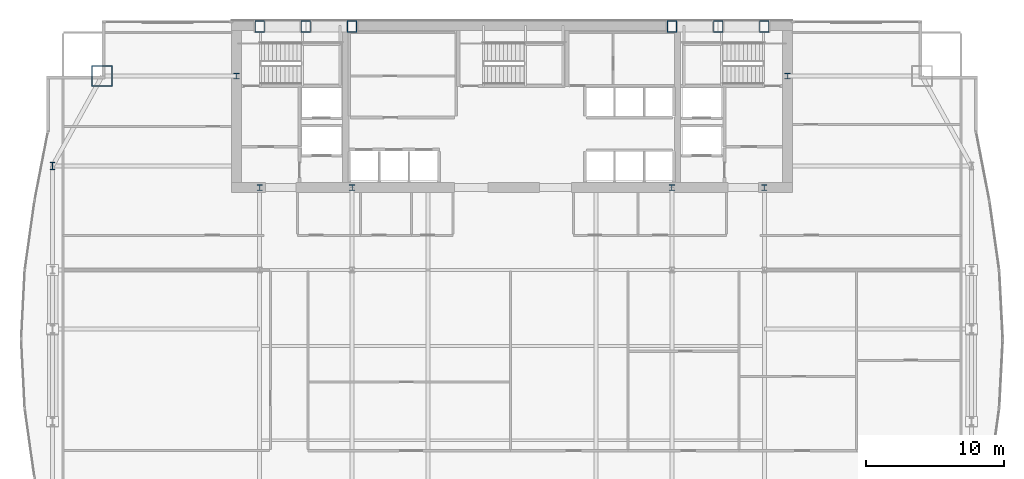
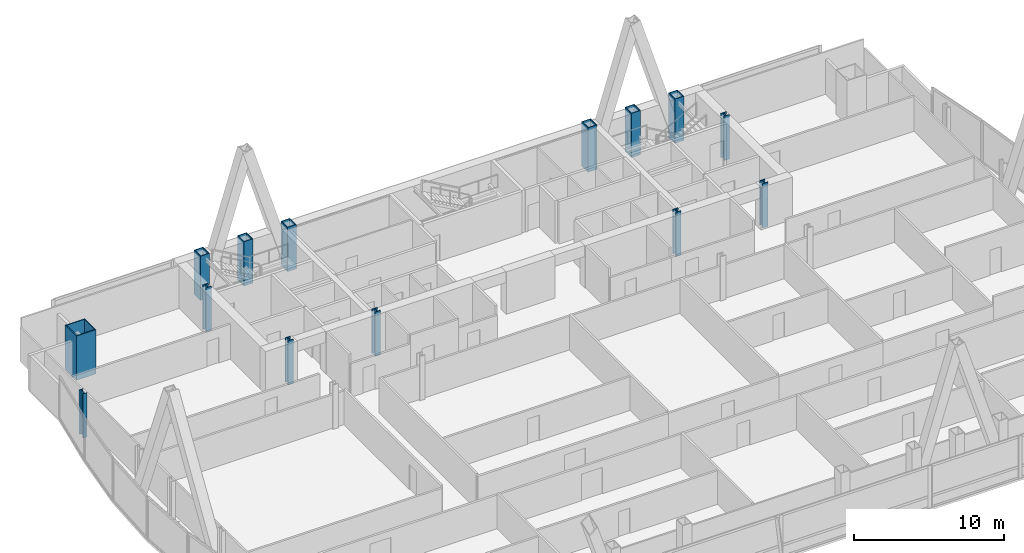
# One storey, part 3 of 33: 14 columns.
"""IFC4 building model written with IfcOpenShell, lengths in metres."""

from ifc_helpers import new_model, si_unit, direction, frame, origin, origin_2d, place, context, subcontext, project, spatial, hollow_rectangle, i_section, extrude, material, material_profile, profile_set, type_object, element, save


model = new_model("IFC4")

# Units and contexts
model_context = context("Model", 3, precision=1e-05, world=origin(), true_north=direction((0.0, 1.0)))
body_context = subcontext(model_context, "Body", "Model", "MODEL_VIEW")
ifc_project = project(units=[si_unit("LENGTHUNIT", "METRE"), si_unit("AREAUNIT", "SQUARE_METRE"), si_unit("VOLUMEUNIT", "CUBIC_METRE"), si_unit("PLANEANGLEUNIT", "RADIAN"), si_unit("MASSUNIT", "GRAM", prefix="KILO")], contexts=[model_context])

# Site, building, storey
site_placement = place(None, origin())
site = spatial("IfcSite", under=ifc_project, at=site_placement, CompositionType="ELEMENT")
building_placement = place(site_placement, origin())
building = spatial("IfcBuilding", under=site, at=building_placement, Name="Khoronbel Lancet Exchange", CompositionType="ELEMENT")
storey_placement = place(building_placement, frame((0.0, 0.0, 118.199951171875)))
storey = spatial("IfcBuildingStorey", under=building, at=storey_placement, Name="L28", CompositionType="ELEMENT", Elevation=118.199951171875)

# Columns
ifc_material_1 = material(Name="Steel S460", Category="steel")
ifc_material_profile_1 = material_profile(ifc_material_1, hollow_rectangle(XDim=0.699951171875, YDim=0.85009765625, WallThickness=0.050048828125, at=origin_2d()), Name="BOX 850x700x50")
ifc_profile_set_1 = profile_set([ifc_material_profile_1], Name="Steel S460")
column_type_1 = type_object("IfcColumnType", Name="COL-EC2", PredefinedType="COLUMN", material=ifc_profile_set_1)
for number, where, z_axis, x_axis, name in (
    (1, (18.22509765625, 53.280029296875, 0.0), (0.0, 0.0, 1.0), (1.0, 0.0, 0.0), "Structural column NC-W1 L28"),
    (2, (21.5625, 53.280029296875, 0.0), (0.0, 0.0, 1.0), (1.0, 0.0, 0.0), "Structural column NC-WM L28"),
    (3, (24.89990234375, 53.280029296875, 0.0), (0.0, 0.0, 1.0), (1.0, 0.0, 0.0), "Structural column NC-W2 L28"),
    (4, (48.0, 53.280029296875, 0.0), (0.0, 0.0, 1.0), (1.0, 0.0, 0.0), "Structural column NC-E1 L28"),
    (5, (51.33740234375, 53.280029296875, 0.0), (0.0, 0.0, 1.0), (1.0, 0.0, 0.0), "Structural column NC-EM L28"),
    (6, (54.675048828125, 53.280029296875, 0.0), (0.0, 0.0, 1.0), (1.0, 0.0, 0.0), "Structural column NC-E2 L28"),
):
    element("IfcColumn", number, at=place(storey_placement, frame(where, z_axis=z_axis, x_axis=x_axis)), inside=storey, type_object=column_type_1, Name=name, PredefinedType="COLUMN", context=body_context, shape_type="SweptSolid", body=[
        extrude(hollow_rectangle(XDim=0.699951171875, YDim=0.85009765625, WallThickness=0.050048828125, at=origin_2d()), origin(), (0.0, 0.0, 1.0), 3.60009765625),
    ])
ifc_material_profile_2 = material_profile(ifc_material_1, i_section(OverallWidth=0.416015625, OverallDepth=0.446044921875, WebThickness=0.0390625, FlangeThickness=0.062744140625, at=origin_2d()), Name="HD 400x509")
ifc_profile_set_2 = profile_set([ifc_material_profile_2], Name="Steel S460")
column_type_2 = type_object("IfcColumnType", Name="COL-IC2", PredefinedType="COLUMN", material=ifc_profile_set_2)
for number, where, z_axis, x_axis, name in (
    (7, (16.550048828125, 49.699951171875, 0.0), (0.0, 0.0, 1.0), (1.0, 0.0, 0.0), "Core-flank plumb transfer column CFW L28"),
    (8, (56.35009765625, 49.699951171875, 0.0), (0.0, 0.0, 1.0), (1.0, 0.0, 0.0), "Core-flank plumb transfer column CFE L28"),
    (9, (18.22509765625, 41.64990234375, 0.0), (0.0, 0.0, 1.0), (1.0, 0.0, 0.0), "Core-embedded steel column CTC1 L28"),
    (10, (24.89990234375, 41.64990234375, 0.0), (0.0, 0.0, 1.0), (1.0, 0.0, 0.0), "Core-embedded steel column CTC2 L28"),
    (11, (48.0, 41.64990234375, 0.0), (0.0, 0.0, 1.0), (1.0, 0.0, 0.0), "Core-embedded steel column CTC3 L28"),
    (12, (54.675048828125, 41.64990234375, 0.0), (0.0, 0.0, 1.0), (1.0, 0.0, 0.0), "Core-embedded steel column CTC4 L28"),
):
    element("IfcColumn", number, at=place(storey_placement, frame(where, z_axis=z_axis, x_axis=x_axis)), inside=storey, type_object=column_type_2, Name=name, PredefinedType="COLUMN", context=body_context, shape_type="SweptSolid", body=[
        extrude(i_section(OverallWidth=0.416015625, OverallDepth=0.446044921875, WebThickness=0.0390625, FlangeThickness=0.062744140625, at=origin_2d()), origin(), (0.0, 0.0, 1.0), 3.60009765625),
    ])
ifc_material_2 = material(Name="Steel S355", Category="steel")
ifc_material_profile_3 = material_profile(ifc_material_2, i_section(OverallWidth=0.300048828125, OverallDepth=0.550048828125, WebThickness=0.014892578125, FlangeThickness=0.029052734375, at=origin_2d()), Name="HEB 550")
ifc_profile_set_3 = profile_set([ifc_material_profile_3], Name="Steel S355")
column_type_3 = type_object("IfcColumnType", Name="COL-LC1", PredefinedType="COLUMN", material=ifc_profile_set_3)
column_1_placement = place(storey_placement, frame((3.27001953125, 43.199951171875, 0.0), z_axis=(0.0, 0.0, 1.0), x_axis=(1.0, 0.0, 0.0)))
element("IfcColumn", 13, at=column_1_placement, inside=storey, type_object=column_type_3, Name="Structural column WC-4 L28", PredefinedType="COLUMN", context=body_context, shape_type="SweptSolid", body=[
    extrude(i_section(OverallWidth=0.300048828125, OverallDepth=0.550048828125, WebThickness=0.014892578125, FlangeThickness=0.029052734375, at=origin_2d()), origin(), (0.0, 0.0, 1.0), 3.60009765625),
])
ifc_material_profile_4 = material_profile(ifc_material_1, hollow_rectangle(XDim=1.5, YDim=1.5, WallThickness=0.070068359375, at=origin_2d()), Name="BOX 1500x1500x70")
ifc_profile_set_4 = profile_set([ifc_material_profile_4], Name="Steel S460")
column_type_4 = type_object("IfcColumnType", Name="COL-MC3", PredefinedType="COLUMN", material=ifc_profile_set_4)
column_2_placement = place(storey_placement, frame((6.85009765625, 49.699951171875, 0.0), z_axis=(0.0, 0.0, 1.0), x_axis=(1.0, 0.0, 0.0)))
element("IfcColumn", 14, at=column_2_placement, inside=storey, type_object=column_type_4, Name="Structural column MC-NW L28", PredefinedType="COLUMN", context=body_context, shape_type="SweptSolid", body=[
    extrude(hollow_rectangle(XDim=1.5, YDim=1.5, WallThickness=0.070068359375, at=origin_2d()), origin(), (0.0, 0.0, 1.0), 3.60009765625),
])

save(model, "model.ifc")
